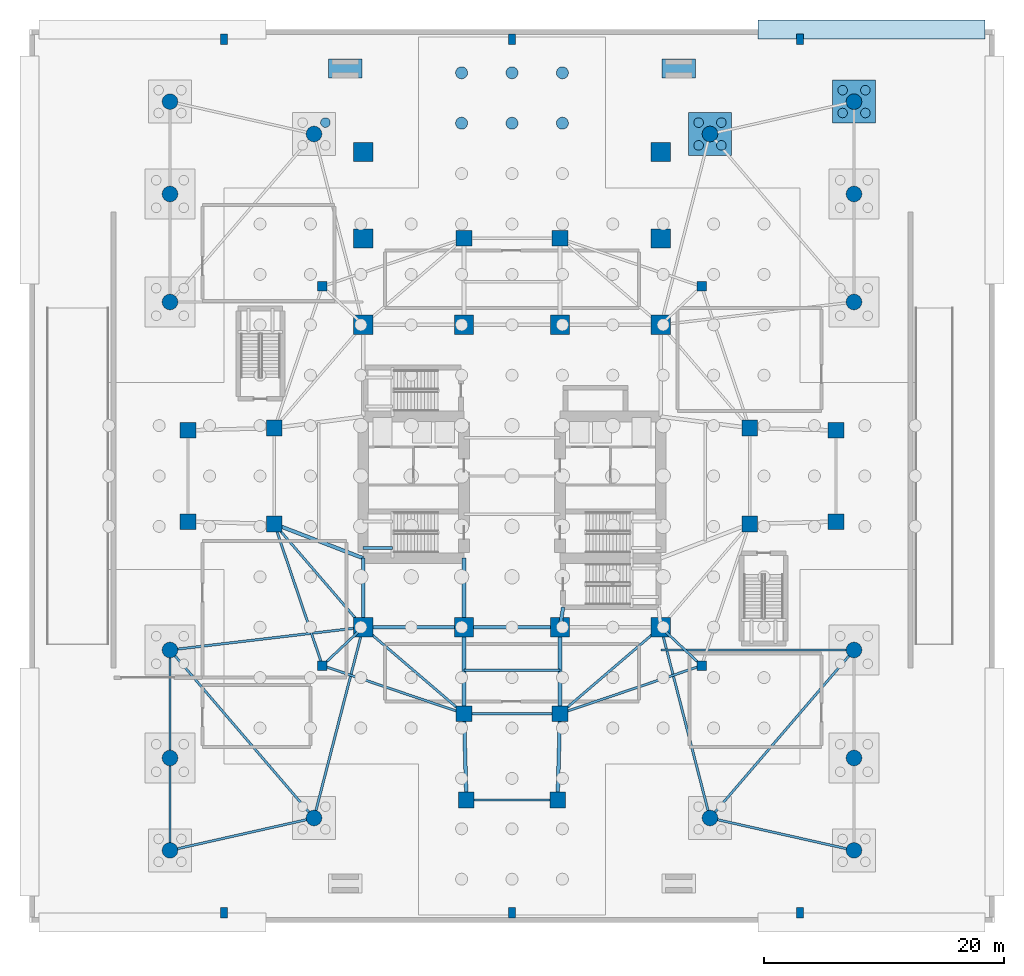
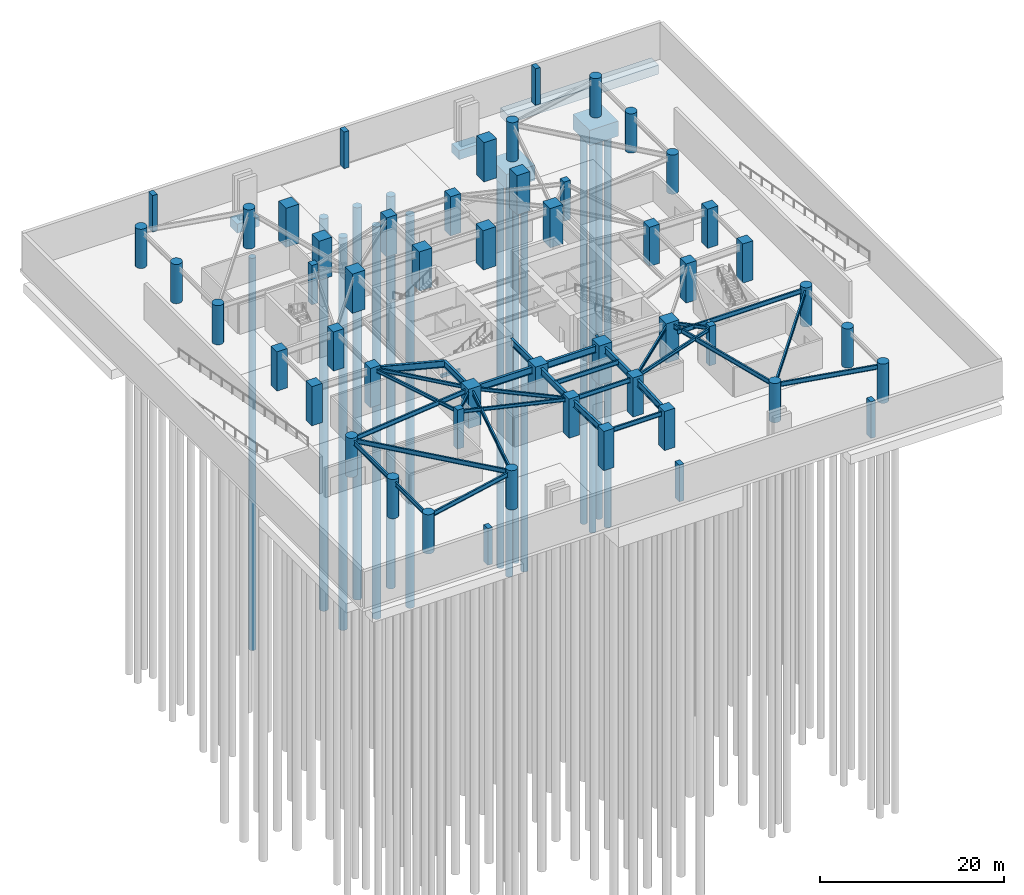
# One storey, part 2 of 14: 52 columns, 32 beams, 15 piles, 5 footings.
"""IFC4 building model written with IfcOpenShell, lengths in metres."""

from ifc_helpers import new_model, si_unit, direction, frame, origin, origin_2d, place, context, subcontext, project, spatial, rectangle, circle, i_section, extrude, material, material_profile, profile_set, type_object, element, save


model = new_model("IFC4")

# Units and contexts
model_context = context("Model", 3, precision=1e-05, world=origin(), true_north=direction((0.0, 1.0)))
body_context = subcontext(model_context, "Body", "Model", "MODEL_VIEW")
ifc_project = project(units=[si_unit("LENGTHUNIT", "METRE"), si_unit("AREAUNIT", "SQUARE_METRE"), si_unit("VOLUMEUNIT", "CUBIC_METRE"), si_unit("PLANEANGLEUNIT", "RADIAN"), si_unit("MASSUNIT", "GRAM", prefix="KILO")], contexts=[model_context])

# Site, building, storey
site_placement = place(None, origin())
site = spatial("IfcSite", under=ifc_project, at=site_placement, CompositionType="ELEMENT")
building_placement = place(site_placement, origin())
building = spatial("IfcBuilding", under=site, at=building_placement, Name="Qingluan Cross Belvedere", CompositionType="ELEMENT")
storey_placement = place(building_placement, frame((0.0, 0.0, -10.39990234375)))
storey = spatial("IfcBuildingStorey", under=building, at=storey_placement, Name="B2", CompositionType="ELEMENT", Elevation=-10.39990234375)

# Piles
ifc_material_1 = material(Name="Concrete C45", Category="concrete")
ifc_material_profile_1 = material_profile(ifc_material_1, circle(Radius=0.5, at=origin_2d()), Name="BP1000")
ifc_profile_set_1 = profile_set([ifc_material_profile_1], Name="Concrete C45")
pile_type_1 = type_object("IfcPileType", Name="BoredPile_BP1000", PredefinedType="BORED", material=ifc_profile_set_1)
for number, where, z_axis, x_axis, name in (
    (1, (-4.199951171875, 29.39990234375, -3.5), (0.0, 0.0, -1.0), (1.0, 0.0, 0.0), "Rock-socketed bored pile BP1000 #069"),
    (2, (-4.199951171875, 33.60009765625, -3.5), (0.0, 0.0, -1.0), (1.0, 0.0, 0.0), "Rock-socketed bored pile BP1000 #070"),
    (3, (0.0, 29.39990234375, -3.5), (0.0, 0.0, -1.0), (1.0, 0.0, 0.0), "Rock-socketed bored pile BP1000 #086"),
    (4, (0.0, 33.60009765625, -3.5), (0.0, 0.0, -1.0), (1.0, 0.0, 0.0), "Rock-socketed bored pile BP1000 #087"),
    (5, (4.199951171875, 29.39990234375, -3.5), (0.0, 0.0, -1.0), (1.0, 0.0, 0.0), "Rock-socketed bored pile BP1000 #103"),
    (6, (4.199951171875, 33.60009765625, -3.5), (0.0, 0.0, -1.0), (1.0, 0.0, 0.0), "Rock-socketed bored pile BP1000 #104"),
):
    element("IfcPile", number, at=place(storey_placement, frame(where, z_axis=z_axis, x_axis=x_axis)), inside=storey, type_object=pile_type_1, Name=name, PredefinedType="BORED", context=body_context, shape_type="SweptSolid", body=[
        extrude(circle(Radius=0.5, at=origin_2d()), origin(), (0.0, 0.0, 1.0), 52.0),
    ])
ifc_material_2 = material(Name="Concrete C45", Category="concrete")
ifc_material_profile_2 = material_profile(ifc_material_2, circle(Radius=0.39990234375, at=origin_2d()), Name="BP800")
ifc_profile_set_2 = profile_set([ifc_material_profile_2], Name="Concrete C45")
pile_type_2 = type_object("IfcPileType", Name="BoredPile_BP800", PredefinedType="BORED", material=ifc_profile_set_2)
for number, where, z_axis, x_axis, name in (
    (7, (-15.550048828125, 29.449951171875, -2.300048828125), (0.0, 0.0, -1.0), (1.0, 0.0, 0.0), "Podium cap bored pile WN3-3"),
    (8, (15.550048828125, 27.550048828125, -2.300048828125), (0.0, 0.0, -1.0), (1.0, 0.0, 0.0), "Podium cap bored pile EN3-1"),
    (9, (17.449951171875, 27.550048828125, -2.300048828125), (0.0, 0.0, -1.0), (1.0, 0.0, 0.0), "Podium cap bored pile EN3-2"),
    (10, (17.449951171875, 29.449951171875, -2.300048828125), (0.0, 0.0, -1.0), (1.0, 0.0, 0.0), "Podium cap bored pile EN3-3"),
    (11, (15.550048828125, 29.449951171875, -2.300048828125), (0.0, 0.0, -1.0), (1.0, 0.0, 0.0), "Podium cap bored pile EN3-4"),
    (12, (27.550048828125, 30.25, -2.300048828125), (0.0, 0.0, -1.0), (1.0, 0.0, 0.0), "Podium cap bored pile EN4-1"),
    (13, (29.449951171875, 30.25, -2.300048828125), (0.0, 0.0, -1.0), (1.0, 0.0, 0.0), "Podium cap bored pile EN4-2"),
    (14, (29.449951171875, 32.14990234375, -2.300048828125), (0.0, 0.0, -1.0), (1.0, 0.0, 0.0), "Podium cap bored pile EN4-3"),
    (15, (27.550048828125, 32.14990234375, -2.300048828125), (0.0, 0.0, -1.0), (1.0, 0.0, 0.0), "Podium cap bored pile EN4-4"),
):
    element("IfcPile", number, at=place(storey_placement, frame(where, z_axis=z_axis, x_axis=x_axis)), inside=storey, type_object=pile_type_2, Name=name, PredefinedType="BORED", context=body_context, shape_type="SweptSolid", body=[
        extrude(circle(Radius=0.39990234375, at=origin_2d()), origin(), (0.0, 0.0, 1.0), 52.0),
    ])

# Footings
ifc_material_3 = material(Name="Concrete C40", Category="concrete")
footing_type_1 = type_object("IfcFootingType", Name="PileCap_3600x3600x2000", PredefinedType="PILE_CAP", material=ifc_material_3)
for number, where, z_axis, x_axis, name in (
    (16, (16.5, 28.5, -2.400146484375), (0.0, 0.0, 1.0), (1.0, 0.0, 0.0), "Podium pile cap EN3"),
    (17, (28.5, 31.199951171875, -2.400146484375), (0.0, 0.0, 1.0), (1.0, 0.0, 0.0), "Podium pile cap EN4"),
):
    element("IfcFooting", number, at=place(storey_placement, frame(where, z_axis=z_axis, x_axis=x_axis)), inside=storey, type_object=footing_type_1, Name=name, PredefinedType="PILE_CAP", context=body_context, shape_type="SweptSolid", body=[
        extrude(rectangle(XDim=3.60009765625, YDim=3.60009765625, at=origin_2d()), origin(), (0.0, 0.0, 1.0), 2.0),
    ])
ifc_material_4 = material(Name="Concrete C40", Category="concrete")
footing_type_2 = type_object("IfcFootingType", Name="StripFooting_1600x1200", PredefinedType="STRIP_FOOTING", material=ifc_material_4)
footing_placement = place(storey_placement, frame((29.949951171875, 37.199951171875, -1.60009765625), z_axis=(0.0, 0.0, 1.0), x_axis=(1.0, 0.0, 0.0)))
element("IfcFooting", 18, at=footing_placement, inside=storey, type_object=footing_type_2, Name="Perimeter retaining strip footing SF-N2", PredefinedType="STRIP_FOOTING", context=body_context, shape_type="SweptSolid", body=[
    extrude(rectangle(XDim=18.89990234375, YDim=1.60009765625, at=origin_2d()), origin(), (0.0, 0.0, 1.0), 1.199951171875),
])
for number, where, z_axis, x_axis, name in (
    (19, (-13.89990234375, 33.949951171875, -1.60009765625), (0.0, 0.0, 1.0), (1.0, 0.0, 0.0), "Entrance ramp foundation strip 3"),
    (20, (13.89990234375, 33.949951171875, -1.60009765625), (0.0, 0.0, 1.0), (1.0, 0.0, 0.0), "Entrance ramp foundation strip 4"),
):
    element("IfcFooting", number, at=place(storey_placement, frame(where, z_axis=z_axis, x_axis=x_axis)), inside=storey, type_object=footing_type_2, Name=name, PredefinedType="STRIP_FOOTING", context=body_context, shape_type="SweptSolid", body=[
        extrude(rectangle(XDim=2.800048828125, YDim=1.60009765625, at=origin_2d()), origin(), (0.0, 0.0, 1.0), 1.199951171875),
    ])

# Columns
ifc_material_5 = material(Name="Concrete C60", Category="concrete")
ifc_material_profile_3 = material_profile(ifc_material_5, rectangle(XDim=1.300048828125, YDim=1.300048828125, at=origin_2d()), Name="RC1300x1300")
ifc_profile_set_3 = profile_set([ifc_material_profile_3], Name="Concrete C60")
column_type_1 = type_object("IfcColumnType", Name="Column_RC1300x1300", PredefinedType="COLUMN", material=ifc_profile_set_3)
for number, where, z_axis, x_axis, name in (
    (21, (19.800048828125, -4.0, 0.0), (0.0, 0.0, 1.0), (1.0, 0.0, 0.0), "Arm column B2-EIA"),
    (22, (19.800048828125, 4.0, 0.0), (0.0, 0.0, 1.0), (1.0, 0.0, 0.0), "Arm column B2-EIB"),
    (23, (-19.800048828125, -4.0, 0.0), (0.0, 0.0, 1.0), (1.0, 0.0, 0.0), "Arm column B2-WIA"),
    (24, (-19.800048828125, 4.0, 0.0), (0.0, 0.0, 1.0), (1.0, 0.0, 0.0), "Arm column B2-WIB"),
    (25, (-4.0, -19.800048828125, 0.0), (0.0, 0.0, 1.0), (1.0, 0.0, 0.0), "Arm column B2-SIA"),
    (26, (4.0, -19.800048828125, 0.0), (0.0, 0.0, 1.0), (1.0, 0.0, 0.0), "Arm column B2-SIB"),
    (27, (-4.0, 19.800048828125, 0.0), (0.0, 0.0, 1.0), (1.0, 0.0, 0.0), "Arm column B2-NIA"),
    (28, (4.0, 19.800048828125, 0.0), (0.0, 0.0, 1.0), (1.0, 0.0, 0.0), "Arm column B2-NIB"),
    (29, (27.0, -3.800048828125, 0.0), (0.0, 0.0, 1.0), (1.0, 0.0, 0.0), "Arm column B2-EOA"),
    (30, (27.0, 3.800048828125, 0.0), (0.0, 0.0, 1.0), (1.0, 0.0, 0.0), "Arm column B2-EOB"),
    (31, (-27.0, -3.800048828125, 0.0), (0.0, 0.0, 1.0), (1.0, 0.0, 0.0), "Arm column B2-WOA"),
    (32, (-27.0, 3.800048828125, 0.0), (0.0, 0.0, 1.0), (1.0, 0.0, 0.0), "Arm column B2-WOB"),
    (33, (-3.800048828125, -27.0, 0.0), (0.0, 0.0, 1.0), (1.0, 0.0, 0.0), "Arm column B2-SOA"),
    (34, (3.800048828125, -27.0, 0.0), (0.0, 0.0, 1.0), (1.0, 0.0, 0.0), "Arm column B2-SOB"),
):
    element("IfcColumn", number, at=place(storey_placement, frame(where, z_axis=z_axis, x_axis=x_axis)), inside=storey, type_object=column_type_1, Name=name, PredefinedType="COLUMN", context=body_context, shape_type="SweptSolid", body=[
        extrude(rectangle(XDim=1.300048828125, YDim=1.300048828125, at=origin_2d()), origin(), (0.0, 0.0, 1.0), 5.199951171875),
    ])
ifc_material_6 = material(Name="Concrete C70", Category="concrete")
ifc_material_profile_4 = material_profile(ifc_material_6, rectangle(XDim=1.60009765625, YDim=1.60009765625, at=origin_2d()), Name="RC1600x1600")
ifc_profile_set_4 = profile_set([ifc_material_profile_4], Name="Concrete C70")
column_type_2 = type_object("IfcColumnType", Name="Column_RC1600x1600", PredefinedType="COLUMN", material=ifc_profile_set_4)
for number, where, z_axis, x_axis, name in (
    (35, (-12.39990234375, 19.800048828125, 0.0), (0.0, 0.0, 1.0), (1.0, 0.0, 0.0), "Ballroom transfer pier B2-BM1W"),
    (36, (-12.39990234375, 27.0, 0.0), (0.0, 0.0, 1.0), (1.0, 0.0, 0.0), "Ballroom transfer pier B2-BM2W"),
    (37, (12.39990234375, 19.800048828125, 0.0), (0.0, 0.0, 1.0), (1.0, 0.0, 0.0), "Ballroom transfer pier B2-BM1E"),
    (38, (12.39990234375, 27.0, 0.0), (0.0, 0.0, 1.0), (1.0, 0.0, 0.0), "Ballroom transfer pier B2-BM2E"),
    (39, (-12.39990234375, -12.60009765625, 0.0), (0.0, 0.0, 1.0), (1.0, 0.0, 0.0), "Hub column B2-HC1"),
    (40, (12.39990234375, -12.60009765625, 0.0), (0.0, 0.0, 1.0), (1.0, 0.0, 0.0), "Hub column B2-HC2"),
    (41, (12.39990234375, 12.60009765625, 0.0), (0.0, 0.0, 1.0), (1.0, 0.0, 0.0), "Hub column B2-HC3"),
    (42, (-12.39990234375, 12.60009765625, 0.0), (0.0, 0.0, 1.0), (1.0, 0.0, 0.0), "Hub column B2-HC4"),
    (43, (-4.0, -12.60009765625, 0.0), (0.0, 0.0, 1.0), (1.0, 0.0, 0.0), "Hub column B2-HC5"),
    (44, (4.0, -12.60009765625, 0.0), (0.0, 0.0, 1.0), (1.0, 0.0, 0.0), "Hub column B2-HC6"),
    (45, (4.0, 12.60009765625, 0.0), (0.0, 0.0, 1.0), (1.0, 0.0, 0.0), "Hub column B2-HC7"),
    (46, (-4.0, 12.60009765625, 0.0), (0.0, 0.0, 1.0), (1.0, 0.0, 0.0), "Hub column B2-HC8"),
):
    element("IfcColumn", number, at=place(storey_placement, frame(where, z_axis=z_axis, x_axis=x_axis)), inside=storey, type_object=column_type_2, Name=name, PredefinedType="COLUMN", context=body_context, shape_type="SweptSolid", body=[
        extrude(rectangle(XDim=1.60009765625, YDim=1.60009765625, at=origin_2d()), origin(), (0.0, 0.0, 1.0), 5.199951171875),
    ])
ifc_material_7 = material(Name="Concrete C50", Category="concrete")
ifc_material_profile_5 = material_profile(ifc_material_7, rectangle(XDim=0.800048828125, YDim=0.800048828125, at=origin_2d()), Name="RC800x800")
ifc_profile_set_5 = profile_set([ifc_material_profile_5], Name="Concrete C50")
column_type_3 = type_object("IfcColumnType", Name="Column_RC800x800", PredefinedType="COLUMN", material=ifc_profile_set_5)
for number, where, z_axis, x_axis, name in (
    (47, (15.800048828125, 15.800048828125, 0.0), (0.0, 0.0, 1.0), (1.0, 0.0, 0.0), "Corner column B2-RNE"),
    (48, (-15.800048828125, 15.800048828125, 0.0), (0.0, 0.0, 1.0), (1.0, 0.0, 0.0), "Corner column B2-RNW"),
    (49, (-15.800048828125, -15.800048828125, 0.0), (0.0, 0.0, 1.0), (1.0, 0.0, 0.0), "Corner column B2-RSW"),
    (50, (15.800048828125, -15.800048828125, 0.0), (0.0, 0.0, 1.0), (1.0, 0.0, 0.0), "Corner column B2-RSE"),
):
    element("IfcColumn", number, at=place(storey_placement, frame(where, z_axis=z_axis, x_axis=x_axis)), inside=storey, type_object=column_type_3, Name=name, PredefinedType="COLUMN", context=body_context, shape_type="SweptSolid", body=[
        extrude(rectangle(XDim=0.800048828125, YDim=0.800048828125, at=origin_2d()), origin(), (0.0, 0.0, 1.0), 5.199951171875),
    ])
ifc_material_8 = material(Name="Concrete C60", Category="concrete")
ifc_material_profile_6 = material_profile(ifc_material_8, circle(Radius=0.64990234375, at=origin_2d()), Name="RCC1300")
ifc_profile_set_6 = profile_set([ifc_material_profile_6], Name="Concrete C60")
column_type_4 = type_object("IfcColumnType", Name="Column_RCC1300", PredefinedType="COLUMN", material=ifc_profile_set_6)
for number, where, z_axis, x_axis, name in (
    (51, (-28.5, -14.5, 0.0), (0.0, 0.0, 1.0), (1.0, 0.0, 0.0), "Podium column B2-WS1"),
    (52, (-28.5, -23.5, 0.0), (0.0, 0.0, 1.0), (1.0, 0.0, 0.0), "Podium column B2-WS2"),
    (53, (-16.5, -28.5, 0.0), (0.0, 0.0, 1.0), (1.0, 0.0, 0.0), "Podium column B2-WS3"),
    (54, (-28.5, -31.199951171875, 0.0), (0.0, 0.0, 1.0), (1.0, 0.0, 0.0), "Podium column B2-WS4"),
    (55, (-28.5, 14.5, 0.0), (0.0, 0.0, 1.0), (1.0, 0.0, 0.0), "Podium column B2-WN1"),
    (56, (-28.5, 23.5, 0.0), (0.0, 0.0, 1.0), (1.0, 0.0, 0.0), "Podium column B2-WN2"),
    (57, (-16.5, 28.5, 0.0), (0.0, 0.0, 1.0), (1.0, 0.0, 0.0), "Podium column B2-WN3"),
    (58, (-28.5, 31.199951171875, 0.0), (0.0, 0.0, 1.0), (1.0, 0.0, 0.0), "Podium column B2-WN4"),
    (59, (28.5, -14.5, 0.0), (0.0, 0.0, 1.0), (1.0, 0.0, 0.0), "Podium column B2-ES1"),
    (60, (28.5, -23.5, 0.0), (0.0, 0.0, 1.0), (1.0, 0.0, 0.0), "Podium column B2-ES2"),
    (61, (16.5, -28.5, 0.0), (0.0, 0.0, 1.0), (1.0, 0.0, 0.0), "Podium column B2-ES3"),
    (62, (28.5, -31.199951171875, 0.0), (0.0, 0.0, 1.0), (1.0, 0.0, 0.0), "Podium column B2-ES4"),
    (63, (28.5, 14.5, 0.0), (0.0, 0.0, 1.0), (1.0, 0.0, 0.0), "Podium column B2-EN1"),
    (64, (28.5, 23.5, 0.0), (0.0, 0.0, 1.0), (1.0, 0.0, 0.0), "Podium column B2-EN2"),
    (65, (16.5, 28.5, 0.0), (0.0, 0.0, 1.0), (1.0, 0.0, 0.0), "Podium column B2-EN3"),
    (66, (28.5, 31.199951171875, 0.0), (0.0, 0.0, 1.0), (1.0, 0.0, 0.0), "Podium column B2-EN4"),
):
    element("IfcColumn", number, at=place(storey_placement, frame(where, z_axis=z_axis, x_axis=x_axis)), inside=storey, type_object=column_type_4, Name=name, PredefinedType="COLUMN", context=body_context, shape_type="SweptSolid", body=[
        extrude(circle(Radius=0.64990234375, at=origin_2d()), origin(), (0.0, 0.0, 1.0), 5.199951171875),
    ])
ifc_material_9 = material(Name="Concrete C50", Category="concrete")
ifc_material_profile_7 = material_profile(ifc_material_9, rectangle(XDim=0.60009765625, YDim=0.89990234375, at=origin_2d()), Name="RC600x900")
ifc_profile_set_7 = profile_set([ifc_material_profile_7], Name="Concrete C50")
column_type_5 = type_object("IfcColumnType", Name="Pilaster_RC600x900", PredefinedType="PILASTER", material=ifc_profile_set_7)
for number, where, z_axis, x_axis, name in (
    (67, (-24.0, -36.39990234375, 0.0), (0.0, 0.0, 1.0), (1.0, 0.0, 0.0), "Retaining wall pilaster B2-S1"),
    (68, (-24.0, 36.39990234375, 0.0), (0.0, 0.0, 1.0), (1.0, 0.0, 0.0), "Retaining wall pilaster B2-N1"),
    (69, (0.0, -36.39990234375, 0.0), (0.0, 0.0, 1.0), (1.0, 0.0, 0.0), "Retaining wall pilaster B2-S2"),
    (70, (0.0, 36.39990234375, 0.0), (0.0, 0.0, 1.0), (1.0, 0.0, 0.0), "Retaining wall pilaster B2-N2"),
    (71, (24.0, -36.39990234375, 0.0), (0.0, 0.0, 1.0), (1.0, 0.0, 0.0), "Retaining wall pilaster B2-S3"),
    (72, (24.0, 36.39990234375, 0.0), (0.0, 0.0, 1.0), (1.0, 0.0, 0.0), "Retaining wall pilaster B2-N3"),
):
    element("IfcColumn", number, at=place(storey_placement, frame(where, z_axis=z_axis, x_axis=x_axis)), inside=storey, type_object=column_type_5, Name=name, PredefinedType="PILASTER", context=body_context, shape_type="SweptSolid", body=[
        extrude(rectangle(XDim=0.60009765625, YDim=0.89990234375, at=origin_2d()), origin(), (0.0, 0.0, 1.0), 4.849853515625),
    ])

# Beams
ifc_material_10 = material(Name="Concrete C45", Category="concrete")
ifc_material_profile_8 = material_profile(ifc_material_10, rectangle(XDim=0.25, YDim=0.39990234375, at=origin_2d()), Name="RC250x400")
ifc_profile_set_8 = profile_set([ifc_material_profile_8], Name="Concrete C45")
beam_type_1 = type_object("IfcBeamType", Name="RC_Lintel_RC250x400", PredefinedType="LINTEL", material=ifc_profile_set_8)
beam_1_placement = place(storey_placement, frame((-12.39990234375, -6.0, 2.199951171875), z_axis=(1.0, 0.0, 0.0), x_axis=(0.0, 1.0, 0.0)))
element("IfcBeam", 73, at=beam_1_placement, inside=storey, type_object=beam_type_1, Name="Stair ST1 beam B B2", PredefinedType="LINTEL", context=body_context, shape_type="SweptSolid", body=[
    extrude(rectangle(XDim=0.25, YDim=0.39990234375, at=origin_2d()), origin(), (0.0, 0.0, 1.0), 2.429931640625),
])
ifc_material_11 = material(Name="Steel Q420GJB", Category="steel")
ifc_material_profile_9 = material_profile(ifc_material_11, i_section(OverallWidth=0.199951171875, OverallDepth=0.449951171875, WebThickness=0.009033203125, FlangeThickness=0.013916015625, FilletRadius=0.01611328125, at=origin_2d()), Name="HN450x200x9x14")
ifc_profile_set_9 = profile_set([ifc_material_profile_9], Name="Steel Q420GJB")
beam_type_2 = type_object("IfcBeamType", Name="Steel_Beam_HN450x200x9x14", PredefinedType="JOIST", material=ifc_profile_set_9)
beam_2_placement = place(storey_placement, frame((-12.39990234375, -12.60009765625, 4.625), z_axis=(-0.728219948308, -0.685343495546, 0.0), x_axis=(0.685343495546, -0.728219948308, 0.0)))
element("IfcBeam", 74, at=beam_2_placement, inside=storey, type_object=beam_type_2, Name="Corner beam 1 B2-RSW", PredefinedType="JOIST", context=body_context, shape_type="SweptSolid", body=[
    extrude(i_section(OverallWidth=0.199951171875, OverallDepth=0.449951171875, WebThickness=0.009033203125, FlangeThickness=0.013916015625, FilletRadius=0.01611328125, at=origin_2d()), origin(), (0.0, 0.0, 1.0), 4.669189453125),
])
for number, where, z_axis, x_axis, name in (
    (75, (-15.800048828125, -15.800048828125, 4.625), (0.947066283324, -0.321038089628, 0.0), (0.321038089628, 0.947066283324, 0.0), "Corner beam 2 B2-RSW"),
    (76, (-15.800048828125, -15.800048828125, 4.625), (-0.321038089628, 0.947066283324, 0.0), (-0.947066283324, -0.321038089628, 0.0), "Corner beam 3 B2-RSW"),
):
    element("IfcBeam", number, at=place(storey_placement, frame(where, z_axis=z_axis, x_axis=x_axis)), inside=storey, type_object=beam_type_2, Name=name, PredefinedType="JOIST", context=body_context, shape_type="SweptSolid", body=[
        extrude(i_section(OverallWidth=0.199951171875, OverallDepth=0.449951171875, WebThickness=0.009033203125, FlangeThickness=0.013916015625, FilletRadius=0.01611328125, at=origin_2d()), origin(), (0.0, 0.0, 1.0), 12.45947265625),
    ])
beam_3_placement = place(storey_placement, frame((-12.39990234375, -12.60009765625, 4.625), z_axis=(-0.652245077546, 0.75800815221, 0.0), x_axis=(-0.75800815221, -0.652245077546, 0.0)))
element("IfcBeam", 77, at=beam_3_placement, inside=storey, type_object=beam_type_2, Name="Corner beam 4 B2-RSW", PredefinedType="JOIST", context=body_context, shape_type="SweptSolid", body=[
    extrude(i_section(OverallWidth=0.199951171875, OverallDepth=0.449951171875, WebThickness=0.009033203125, FlangeThickness=0.013916015625, FilletRadius=0.01611328125, at=origin_2d()), origin(), (0.0, 0.0, 1.0), 11.345703125),
])
beam_4_placement = place(storey_placement, frame((-12.39990234375, -12.60009765625, 4.625), z_axis=(0.759255044656, -0.650793190779, 0.0), x_axis=(0.650793190779, 0.759255044656, 0.0)))
element("IfcBeam", 78, at=beam_4_placement, inside=storey, type_object=beam_type_2, Name="Corner beam 5 B2-RSW", PredefinedType="JOIST", context=body_context, shape_type="SweptSolid", body=[
    extrude(i_section(OverallWidth=0.199951171875, OverallDepth=0.449951171875, WebThickness=0.009033203125, FlangeThickness=0.013916015625, FilletRadius=0.01611328125, at=origin_2d()), origin(), (0.0, 0.0, 1.0), 11.063232421875),
])
beam_5_placement = place(storey_placement, frame((12.39990234375, -12.60009765625, 4.625), z_axis=(0.728219948308, -0.685343495546, 0.0), x_axis=(0.685343495546, 0.728219948308, 0.0)))
element("IfcBeam", 79, at=beam_5_placement, inside=storey, type_object=beam_type_2, Name="Corner beam 1 B2-RSE", PredefinedType="JOIST", context=body_context, shape_type="SweptSolid", body=[
    extrude(i_section(OverallWidth=0.199951171875, OverallDepth=0.449951171875, WebThickness=0.009033203125, FlangeThickness=0.013916015625, FilletRadius=0.01611328125, at=origin_2d()), origin(), (0.0, 0.0, 1.0), 4.669189453125),
])
beam_6_placement = place(storey_placement, frame((15.800048828125, -15.800048828125, 4.625), z_axis=(-0.947066283324, -0.321038089628, 0.0), x_axis=(0.321038089628, -0.947066283324, 0.0)))
element("IfcBeam", 80, at=beam_6_placement, inside=storey, type_object=beam_type_2, Name="Corner beam 2 B2-RSE", PredefinedType="JOIST", context=body_context, shape_type="SweptSolid", body=[
    extrude(i_section(OverallWidth=0.199951171875, OverallDepth=0.449951171875, WebThickness=0.009033203125, FlangeThickness=0.013916015625, FilletRadius=0.01611328125, at=origin_2d()), origin(), (0.0, 0.0, 1.0), 12.45947265625),
])
beam_7_placement = place(storey_placement, frame((12.39990234375, -12.60009765625, 4.625), z_axis=(-0.759255044656, -0.650793190779, 0.0), x_axis=(0.650793190779, -0.759255044656, 0.0)))
element("IfcBeam", 81, at=beam_7_placement, inside=storey, type_object=beam_type_2, Name="Corner beam 5 B2-RSE", PredefinedType="JOIST", context=body_context, shape_type="SweptSolid", body=[
    extrude(i_section(OverallWidth=0.199951171875, OverallDepth=0.449951171875, WebThickness=0.009033203125, FlangeThickness=0.013916015625, FilletRadius=0.01611328125, at=origin_2d()), origin(), (0.0, 0.0, 1.0), 11.063232421875),
])
ifc_material_12 = material(Name="Steel Q420GJB", Category="steel")
ifc_material_profile_10 = material_profile(ifc_material_12, i_section(OverallWidth=0.199951171875, OverallDepth=0.60009765625, WebThickness=0.010986328125, FlangeThickness=0.01708984375, FilletRadius=0.01806640625, at=origin_2d()), Name="HN600x200x11x17")
ifc_profile_set_10 = profile_set([ifc_material_profile_10], Name="Steel Q420GJB")
beam_type_3 = type_object("IfcBeamType", Name="Steel_Beam_HN600x200x11x17", PredefinedType="JOIST", material=ifc_profile_set_10)
for number, where, z_axis, x_axis, name in (
    (82, (-4.0, -19.800048828125, 4.5498046875), (1.0, 0.0, 0.0), (0.0, 1.0, 0.0), "Arm S tie B2"),
    (83, (-4.0, -16.199951171875, 4.5498046875), (1.0, 0.0, 0.0), (0.0, 1.0, 0.0), "Arm S beam B2"),
):
    element("IfcBeam", number, at=place(storey_placement, frame(where, z_axis=z_axis, x_axis=x_axis)), inside=storey, type_object=beam_type_3, Name=name, PredefinedType="JOIST", context=body_context, shape_type="SweptSolid", body=[
        extrude(i_section(OverallWidth=0.199951171875, OverallDepth=0.60009765625, WebThickness=0.010986328125, FlangeThickness=0.01708984375, FilletRadius=0.01806640625, at=origin_2d()), origin(), (0.0, 0.0, 1.0), 8.0),
    ])
beam_8_placement = place(storey_placement, frame((-3.800048828125, -27.0, 4.5498046875), z_axis=(1.0, 0.0, 0.0), x_axis=(0.0, 1.0, 0.0)))
element("IfcBeam", 84, at=beam_8_placement, inside=storey, type_object=beam_type_3, Name="Arm S tip transverse beam B2", PredefinedType="JOIST", context=body_context, shape_type="SweptSolid", body=[
    extrude(i_section(OverallWidth=0.199951171875, OverallDepth=0.60009765625, WebThickness=0.010986328125, FlangeThickness=0.01708984375, FilletRadius=0.01806640625, at=origin_2d()), origin(), (0.0, 0.0, 1.0), 7.60009765625),
])
beam_9_placement = place(storey_placement, frame((-12.39990234375, -12.60009765625, 4.5498046875), z_axis=(-0.99310921872, -0.117192489917, 0.0), x_axis=(0.117192489917, -0.99310921872, 0.0)))
element("IfcBeam", 85, at=beam_9_placement, inside=storey, type_object=beam_type_3, Name="Podium quadrant tie beam B2-WSH1", PredefinedType="JOIST", context=body_context, shape_type="SweptSolid", body=[
    extrude(i_section(OverallWidth=0.199951171875, OverallDepth=0.60009765625, WebThickness=0.010986328125, FlangeThickness=0.01708984375, FilletRadius=0.01806640625, at=origin_2d()), origin(), (0.0, 0.0, 1.0), 16.2119140625),
])
beam_10_placement = place(storey_placement, frame((-12.39990234375, -12.60009765625, 4.5498046875), z_axis=(-0.249700840873, -0.968323029814, 0.0), x_axis=(0.968323029814, -0.249700840873, 0.0)))
element("IfcBeam", 86, at=beam_10_placement, inside=storey, type_object=beam_type_3, Name="Podium quadrant tie beam B2-WSH3", PredefinedType="JOIST", context=body_context, shape_type="SweptSolid", body=[
    extrude(i_section(OverallWidth=0.199951171875, OverallDepth=0.60009765625, WebThickness=0.010986328125, FlangeThickness=0.01708984375, FilletRadius=0.01806640625, at=origin_2d()), origin(), (0.0, 0.0, 1.0), 16.419921875),
])
beam_11_placement = place(storey_placement, frame((-28.5, -14.5, 4.5498046875), z_axis=(0.0, -1.0, 0.0), x_axis=(1.0, 0.0, 0.0)))
element("IfcBeam", 87, at=beam_11_placement, inside=storey, type_object=beam_type_3, Name="Podium quadrant tie beam B2-WS12", PredefinedType="JOIST", context=body_context, shape_type="SweptSolid", body=[
    extrude(i_section(OverallWidth=0.199951171875, OverallDepth=0.60009765625, WebThickness=0.010986328125, FlangeThickness=0.01708984375, FilletRadius=0.01806640625, at=origin_2d()), origin(), (0.0, 0.0, 1.0), 9.0),
])
beam_12_placement = place(storey_placement, frame((-28.5, -23.5, 4.5498046875), z_axis=(0.0, -1.0, 0.0), x_axis=(1.0, 0.0, 0.0)))
element("IfcBeam", 88, at=beam_12_placement, inside=storey, type_object=beam_type_3, Name="Podium quadrant tie beam B2-WS24", PredefinedType="JOIST", context=body_context, shape_type="SweptSolid", body=[
    extrude(i_section(OverallWidth=0.199951171875, OverallDepth=0.60009765625, WebThickness=0.010986328125, FlangeThickness=0.01708984375, FilletRadius=0.01806640625, at=origin_2d()), origin(), (0.0, 0.0, 1.0), 7.699951171875),
])
beam_13_placement = place(storey_placement, frame((-16.5, -28.5, 4.5498046875), z_axis=(-0.975610606249, -0.219508416636, 0.0), x_axis=(0.219508416636, -0.975610606249, 0.0)))
element("IfcBeam", 89, at=beam_13_placement, inside=storey, type_object=beam_type_3, Name="Podium quadrant tie beam B2-WS34", PredefinedType="JOIST", context=body_context, shape_type="SweptSolid", body=[
    extrude(i_section(OverallWidth=0.199951171875, OverallDepth=0.60009765625, WebThickness=0.010986328125, FlangeThickness=0.01708984375, FilletRadius=0.01806640625, at=origin_2d()), origin(), (0.0, 0.0, 1.0), 12.300048828125),
])
beam_14_placement = place(storey_placement, frame((-28.5, -14.5, 4.5498046875), z_axis=(0.650791373456, -0.759256602365, 0.0), x_axis=(0.759256602365, 0.650791373456, 0.0)))
element("IfcBeam", 90, at=beam_14_placement, inside=storey, type_object=beam_type_3, Name="Podium quadrant tie beam B2-WS13", PredefinedType="JOIST", context=body_context, shape_type="SweptSolid", body=[
    extrude(i_section(OverallWidth=0.199951171875, OverallDepth=0.60009765625, WebThickness=0.010986328125, FlangeThickness=0.01708984375, FilletRadius=0.01806640625, at=origin_2d()), origin(), (0.0, 0.0, 1.0), 18.439208984375),
])
beam_15_placement = place(storey_placement, frame((12.39990234375, -14.5, 4.5498046875), z_axis=(1.0, 0.0, 0.0), x_axis=(0.0, 1.0, 0.0)))
element("IfcBeam", 91, at=beam_15_placement, inside=storey, type_object=beam_type_3, Name="Podium quadrant tie beam B2-ESH1", PredefinedType="JOIST", context=body_context, shape_type="SweptSolid", body=[
    extrude(i_section(OverallWidth=0.199951171875, OverallDepth=0.60009765625, WebThickness=0.010986328125, FlangeThickness=0.01708984375, FilletRadius=0.01806640625, at=origin_2d()), origin(), (0.0, 0.0, 1.0), 16.10009765625),
])
beam_16_placement = place(storey_placement, frame((12.39990234375, -12.60009765625, 4.5498046875), z_axis=(0.249700840873, -0.968323029814, 0.0), x_axis=(0.968323029814, 0.249700840873, 0.0)))
element("IfcBeam", 92, at=beam_16_placement, inside=storey, type_object=beam_type_3, Name="Podium quadrant tie beam B2-ESH3", PredefinedType="JOIST", context=body_context, shape_type="SweptSolid", body=[
    extrude(i_section(OverallWidth=0.199951171875, OverallDepth=0.60009765625, WebThickness=0.010986328125, FlangeThickness=0.01708984375, FilletRadius=0.01806640625, at=origin_2d()), origin(), (0.0, 0.0, 1.0), 16.419921875),
])
beam_17_placement = place(storey_placement, frame((16.5, -28.5, 4.5498046875), z_axis=(0.975610606249, -0.219508416636, 0.0), x_axis=(0.219508416636, 0.975610606249, 0.0)))
element("IfcBeam", 93, at=beam_17_placement, inside=storey, type_object=beam_type_3, Name="Podium quadrant tie beam B2-ES34", PredefinedType="JOIST", context=body_context, shape_type="SweptSolid", body=[
    extrude(i_section(OverallWidth=0.199951171875, OverallDepth=0.60009765625, WebThickness=0.010986328125, FlangeThickness=0.01708984375, FilletRadius=0.01806640625, at=origin_2d()), origin(), (0.0, 0.0, 1.0), 12.300048828125),
])
beam_18_placement = place(storey_placement, frame((28.5, -14.5, 4.5498046875), z_axis=(-0.650791373456, -0.759256602365, 0.0), x_axis=(0.759256602365, -0.650791373456, 0.0)))
element("IfcBeam", 94, at=beam_18_placement, inside=storey, type_object=beam_type_3, Name="Podium quadrant tie beam B2-ES13", PredefinedType="JOIST", context=body_context, shape_type="SweptSolid", body=[
    extrude(i_section(OverallWidth=0.199951171875, OverallDepth=0.60009765625, WebThickness=0.010986328125, FlangeThickness=0.01708984375, FilletRadius=0.01806640625, at=origin_2d()), origin(), (0.0, 0.0, 1.0), 18.439208984375),
])
ifc_material_13 = material(Name="Steel Q420GJB", Category="steel")
ifc_material_profile_11 = material_profile(ifc_material_13, i_section(OverallWidth=0.300048828125, OverallDepth=0.89990234375, WebThickness=0.0166015625, FlangeThickness=0.030029296875, FilletRadius=0.030029296875, at=origin_2d()), Name="HEB900")
ifc_profile_set_11 = profile_set([ifc_material_profile_11], Name="Steel Q420GJB")
beam_type_4 = type_object("IfcBeamType", Name="Steel_Girder_HEB900", PredefinedType="USERDEFINED", material=ifc_profile_set_11)
beam_19_placement = place(storey_placement, frame((-12.39990234375, -12.60009765625, 4.39990234375), z_axis=(1.0, 0.0, 0.0), x_axis=(0.0, 1.0, 0.0)))
element("IfcBeam", 95, at=beam_19_placement, inside=storey, type_object=beam_type_4, Name="Hub girder B2-HG-S1", ObjectType="GIRDER", PredefinedType="USERDEFINED", context=body_context, shape_type="SweptSolid", body=[
    extrude(i_section(OverallWidth=0.300048828125, OverallDepth=0.89990234375, WebThickness=0.0166015625, FlangeThickness=0.030029296875, FilletRadius=0.030029296875, at=origin_2d()), origin(), (0.0, 0.0, 1.0), 8.39990234375),
])
beam_20_placement = place(storey_placement, frame((-4.0, -12.60009765625, 4.39990234375), z_axis=(1.0, 0.0, 0.0), x_axis=(0.0, 1.0, 0.0)))
element("IfcBeam", 96, at=beam_20_placement, inside=storey, type_object=beam_type_4, Name="Hub girder B2-HG-S2", ObjectType="GIRDER", PredefinedType="USERDEFINED", context=body_context, shape_type="SweptSolid", body=[
    extrude(i_section(OverallWidth=0.300048828125, OverallDepth=0.89990234375, WebThickness=0.0166015625, FlangeThickness=0.030029296875, FilletRadius=0.030029296875, at=origin_2d()), origin(), (0.0, 0.0, 1.0), 8.0),
])
for number, where, z_axis, x_axis, name in (
    (97, (-12.39990234375, -12.60009765625, 4.39990234375), (0.0, 1.0, 0.0), (-1.0, 0.0, 0.0), "Hub girder B2-HG-W1"),
    (98, (-4.0, -12.60009765625, 4.39990234375), (0.0, 1.0, 0.0), (-1.0, 0.0, 0.0), "Hub girder B2-HG-CW"),
):
    element("IfcBeam", number, at=place(storey_placement, frame(where, z_axis=z_axis, x_axis=x_axis)), inside=storey, type_object=beam_type_4, Name=name, ObjectType="GIRDER", PredefinedType="USERDEFINED", context=body_context, shape_type="SweptSolid", body=[
        extrude(i_section(OverallWidth=0.300048828125, OverallDepth=0.89990234375, WebThickness=0.0166015625, FlangeThickness=0.030029296875, FilletRadius=0.030029296875, at=origin_2d()), origin(), (0.0, 0.0, 1.0), 5.75),
    ])
beam_21_placement = place(storey_placement, frame((4.0, -12.60009765625, 4.39990234375), z_axis=(0.154731433337, 0.987956569662, 0.0), x_axis=(-0.987956569662, 0.154731433337, 0.0)))
element("IfcBeam", 99, at=beam_21_placement, inside=storey, type_object=beam_type_4, Name="Hub girder B2-HG-CE", ObjectType="GIRDER", PredefinedType="USERDEFINED", context=body_context, shape_type="SweptSolid", body=[
    extrude(i_section(OverallWidth=0.300048828125, OverallDepth=0.89990234375, WebThickness=0.0166015625, FlangeThickness=0.030029296875, FilletRadius=0.030029296875, at=origin_2d()), origin(), (0.0, 0.0, 1.0), 1.680419921875),
])
beam_22_placement = place(storey_placement, frame((-12.39990234375, -6.85009765625, 4.39990234375), z_axis=(-0.933181258889, 0.359406090735, 0.0), x_axis=(-0.359406090735, -0.933181258889, 0.0)))
element("IfcBeam", 100, at=beam_22_placement, inside=storey, type_object=beam_type_4, Name="Arm W radial girder A B2", ObjectType="GIRDER", PredefinedType="USERDEFINED", context=body_context, shape_type="SweptSolid", body=[
    extrude(i_section(OverallWidth=0.300048828125, OverallDepth=0.89990234375, WebThickness=0.0166015625, FlangeThickness=0.030029296875, FilletRadius=0.030029296875, at=origin_2d()), origin(), (0.0, 0.0, 1.0), 7.929931640625),
])
for number, where, z_axis, x_axis, name in (
    (101, (-4.0, -12.60009765625, 4.39990234375), (0.0, -1.0, 0.0), (1.0, 0.0, 0.0), "Arm S radial girder A B2"),
    (102, (4.0, -12.60009765625, 4.39990234375), (0.0, -1.0, 0.0), (1.0, 0.0, 0.0), "Arm S radial girder B B2"),
):
    element("IfcBeam", number, at=place(storey_placement, frame(where, z_axis=z_axis, x_axis=x_axis)), inside=storey, type_object=beam_type_4, Name=name, ObjectType="GIRDER", PredefinedType="USERDEFINED", context=body_context, shape_type="SweptSolid", body=[
        extrude(i_section(OverallWidth=0.300048828125, OverallDepth=0.89990234375, WebThickness=0.0166015625, FlangeThickness=0.030029296875, FilletRadius=0.030029296875, at=origin_2d()), origin(), (0.0, 0.0, 1.0), 7.199951171875),
    ])
for number, where, z_axis, x_axis, name in (
    (103, (-4.0, -19.800048828125, 4.39990234375), (0.027760481514, -0.999614603568, 0.0), (0.999614603568, 0.027760481514, 0.0), "Arm S outer radial girder A B2"),
    (104, (4.0, -19.800048828125, 4.39990234375), (-0.027760481514, -0.999614603568, 0.0), (0.999614603568, -0.027760481514, 0.0), "Arm S outer radial girder B B2"),
):
    element("IfcBeam", number, at=place(storey_placement, frame(where, z_axis=z_axis, x_axis=x_axis)), inside=storey, type_object=beam_type_4, Name=name, ObjectType="GIRDER", PredefinedType="USERDEFINED", context=body_context, shape_type="SweptSolid", body=[
        extrude(i_section(OverallWidth=0.300048828125, OverallDepth=0.89990234375, WebThickness=0.0166015625, FlangeThickness=0.030029296875, FilletRadius=0.030029296875, at=origin_2d()), origin(), (0.0, 0.0, 1.0), 7.20263671875),
    ])

save(model, "model.ifc")
